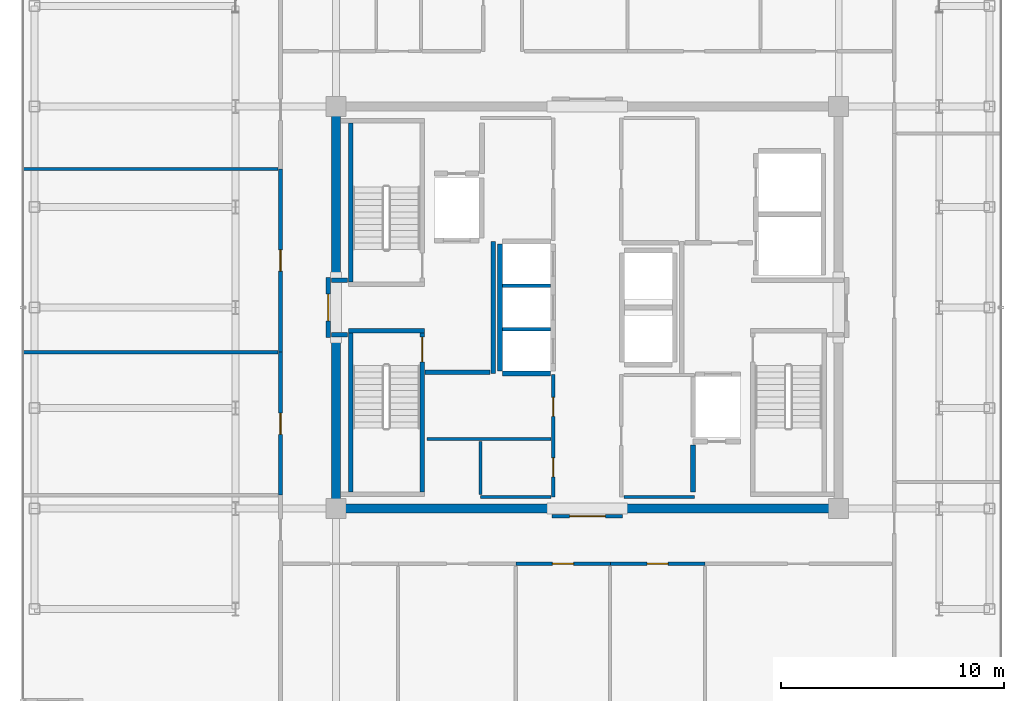
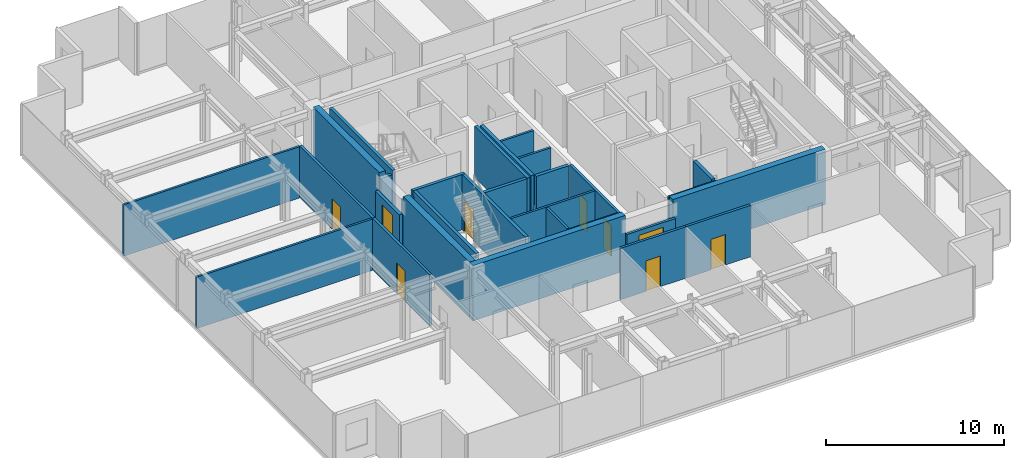
# One storey, part 13 of 18: 30 walls, 9 doors, 9 openings.
"""IFC4 building model written with IfcOpenShell, lengths in metres."""

from ifc_helpers import new_model, si_unit, direction, frame, frame_2d, origin, place, context, subcontext, project, spatial, rectangle, extrude, source, transform, mapped, material, layer, layer_set, type_object, element, fill, save


model = new_model("IFC4")

# Units and contexts
model_context = context("Model", 3, precision=1e-05, world=origin(), true_north=direction((0.0, 1.0)))
body_context = subcontext(model_context, "Body", "Model", "MODEL_VIEW")
ifc_project = project(units=[si_unit("LENGTHUNIT", "METRE"), si_unit("AREAUNIT", "SQUARE_METRE"), si_unit("VOLUMEUNIT", "CUBIC_METRE"), si_unit("PLANEANGLEUNIT", "RADIAN"), si_unit("MASSUNIT", "GRAM", prefix="KILO")], contexts=[model_context])

# Site, building, storey
site_placement = place(None, origin())
site = spatial("IfcSite", under=ifc_project, at=site_placement, CompositionType="ELEMENT")
building_placement = place(site_placement, origin())
building = spatial("IfcBuilding", under=site, at=building_placement, Name="Nefas-Gora Pilgrimage Tower", CompositionType="ELEMENT")
storey_placement = place(building_placement, frame((0.0, 0.0, 326.199951171875)))
storey = spatial("IfcBuildingStorey", under=building, at=storey_placement, Name="L82", CompositionType="ELEMENT", Elevation=326.199951171875)

# Walls
ifc_material_1 = material(Name="Concrete C50/60", Category="concrete")
ifc_layer_1 = layer(ifc_material_1, 0.39990234375)
ifc_layer_set_1 = layer_set([ifc_layer_1], Name="Concrete C50/60")
wall_type_1 = type_object("IfcWallType", Name="SW-CORE-400", PredefinedType="SHEAR", material=ifc_layer_set_1)
shared_shape_1 = source(origin(), body_context, "Body", "SweptSolid", [
    extrude(rectangle(XDim=9.89990234375, YDim=0.39990234375, at=frame_2d((4.949951171875, 0.0))), origin(), (0.0, 0.0, 1.0), 3.800048828125),
])
for number, where, z_axis, x_axis, name in (
    (1, (-11.449951171875, -9.0, 0.0), (0.0, 0.0, 1.0), (1.0, 0.0, 0.0), "L82 Core Shear Wall S-West"),
    (2, (1.550048828125, -9.0, 0.0), (0.0, 0.0, 1.0), (1.0, 0.0, 0.0), "L82 Core Shear Wall S-East"),
):
    element("IfcWall", number, at=place(storey_placement, frame(where, z_axis=z_axis, x_axis=x_axis)), inside=storey, type_object=wall_type_1, Name=name, PredefinedType="SHEAR", context=body_context, shape_type="MappedRepresentation", body=[
        mapped(shared_shape_1, transform((0.0, 0.0, 0.0), x_axis=(1.0, 0.0, 0.0), y_axis=(0.0, 1.0, 0.0), z_axis=(0.0, 0.0, 1.0), scale=1.0)),
    ])
shared_shape_2 = source(origin(), body_context, "Body", "SweptSolid", [
    extrude(rectangle(XDim=7.449951171875, YDim=0.39990234375, at=frame_2d((3.72509765625, 0.0))), origin(), (0.0, 0.0, 1.0), 3.800048828125),
])
for number, where, z_axis, x_axis, name in (
    (3, (-11.25, -8.800048828125, 0.0), (0.0, 0.0, 1.0), (0.0, 1.0, 0.0), "L82 Core Shear Wall W-South"),
    (4, (-11.25, 1.35009765625, 0.0), (0.0, 0.0, 1.0), (0.0, 1.0, 0.0), "L82 Core Shear Wall W-North"),
):
    element("IfcWall", number, at=place(storey_placement, frame(where, z_axis=z_axis, x_axis=x_axis)), inside=storey, type_object=wall_type_1, Name=name, PredefinedType="SHEAR", context=body_context, shape_type="MappedRepresentation", body=[
        mapped(shared_shape_2, transform((0.0, 0.0, 0.0), x_axis=(1.0, 0.0, 0.0), y_axis=(0.0, 1.0, 0.0), z_axis=(0.0, 0.0, 1.0), scale=1.0)),
    ])
ifc_material_2 = material(Name="Concrete C45/55", Category="concrete")
ifc_layer_2 = layer(ifc_material_2, 0.199951171875)
ifc_layer_set_2 = layer_set([ifc_layer_2], Name="Concrete C45/55")
wall_type_2 = type_object("IfcWallType", Name="IW-STAIR-200", PredefinedType="SOLIDWALL", material=ifc_layer_set_2)
shared_shape_3 = source(origin(), body_context, "Body", "SweptSolid", [
    extrude(rectangle(XDim=3.39990234375, YDim=0.199951171875, at=frame_2d((1.699951171875, 0.0))), origin(), (0.0, 0.0, 1.0), 3.800048828125),
])
wall_1_placement = place(storey_placement, frame((-10.699951171875, -1.050048828125, 0.0), z_axis=(0.0, 0.0, 1.0), x_axis=(1.0, 0.0, 0.0)))
element("IfcWall", 5, at=wall_1_placement, inside=storey, type_object=wall_type_2, Name="L82 Stairwell Shear Wall ST-03-near", PredefinedType="SOLIDWALL", context=body_context, shape_type="MappedRepresentation", body=[
    mapped(shared_shape_3, transform((0.0, 0.0, 0.0), x_axis=(1.0, 0.0, 0.0), y_axis=(0.0, 1.0, 0.0), z_axis=(0.0, 0.0, 1.0), scale=1.0)),
])
shared_shape_4 = source(origin(), body_context, "Body", "SweptSolid", [
    extrude(rectangle(XDim=7.10009765625, YDim=0.199951171875, at=frame_2d((3.550048828125, 0.0))), origin(), (0.0, 0.0, 1.0), 3.800048828125),
])
for number, where, z_axis, x_axis, name in (
    (6, (-10.60009765625, 1.14990234375, 0.0), (0.0, 0.0, 1.0), (0.0, 1.0, 0.0), "L82 Stairwell Shear Wall ST-01-right"),
    (7, (-10.60009765625, -1.14990234375, 0.0), (0.0, 0.0, 1.0), (0.0, -1.0, 0.0), "L82 Stairwell Shear Wall ST-03-left"),
):
    element("IfcWall", number, at=place(storey_placement, frame(where, z_axis=z_axis, x_axis=x_axis)), inside=storey, type_object=wall_type_2, Name=name, PredefinedType="SOLIDWALL", context=body_context, shape_type="MappedRepresentation", body=[
        mapped(shared_shape_4, transform((0.0, 0.0, 0.0), x_axis=(1.0, 0.0, 0.0), y_axis=(0.0, 1.0, 0.0), z_axis=(0.0, 0.0, 1.0), scale=1.0)),
    ])

# Wall, opening, door
wall_2_placement = place(storey_placement, frame((-7.39990234375, -1.14990234375, 0.0), z_axis=(0.0, 0.0, 1.0), x_axis=(0.0, -1.0, 0.0)))
wall_2 = element("IfcWall", 8, at=wall_2_placement, inside=storey, type_object=wall_type_2, Name="L82 Stairwell Shear Wall ST-03-right", PredefinedType="SOLIDWALL", context=body_context, shape_type="MappedRepresentation", body=[
    mapped(shared_shape_4, transform((0.0, 0.0, 0.0), x_axis=(1.0, 0.0, 0.0), y_axis=(0.0, 1.0, 0.0), z_axis=(0.0, 0.0, 1.0), scale=1.0)),
])
opening_1_placement = place(wall_2_placement, frame((0.179931640625, 0.0, 0.0)))
opening_1 = element("IfcOpeningElement", 9, at=opening_1_placement, cuts=wall_2, Name="Opening ID-ST1", PredefinedType="OPENING", context=body_context, shape_type="SweptSolid", body=[
    extrude(rectangle(XDim=1.10009765625, YDim=2.14990234375, at=frame_2d((0.550048828125, 1.074951171875))), frame((0.0, 0.10986328125, 0.0), z_axis=(0.0, -1.0, 0.0), x_axis=(1.0, 0.0, 0.0)), (0.0, 0.0, 1.0), 0.219970703125),
])
ifc_material_3 = material(Name="Painted galvanised steel fire stair door", Category="steel")
door_type_1 = type_object("IfcDoorType", Name="DR-INT-STAIR-1100", OperationType="NOTDEFINED", PredefinedType="DOOR", material=ifc_material_3)
shared_shape_5 = source(origin(), body_context, "Body", "SweptSolid", [
    extrude(rectangle(XDim=1.10009765625, YDim=2.14990234375, at=frame_2d((0.550048828125, 1.074951171875))), frame((0.0, 0.02490234375, 0.0), z_axis=(0.0, -1.0, 0.0), x_axis=(1.0, 0.0, 0.0)), (0.0, 0.0, 1.0), 0.050048828125),
])
door_1_placement = place(opening_1_placement, origin())
door_1 = element("IfcDoor", 10, at=door_1_placement, inside=storey, type_object=door_type_1, Name="L82 Protected Exit Stair Door ST-03", OperationType="SINGLE_SWING_RIGHT", OverallHeight=2.14990234375, OverallWidth=1.10009765625, PredefinedType="DOOR", context=body_context, shape_type="MappedRepresentation", body=[
    mapped(shared_shape_5, transform((0.0, 0.0, 0.0), x_axis=(1.0, 0.0, 0.0), y_axis=(0.0, 1.0, 0.0), z_axis=(0.0, 0.0, 1.0), scale=1.0)),
])
fill(opening_1, door_1)

# Walls
ifc_material_4 = material(Name="Concrete C40/50", Category="concrete")
ifc_layer_3 = layer(ifc_material_4, 0.219970703125)
ifc_layer_set_3 = layer_set([ifc_layer_3], Name="Concrete C40/50")
wall_type_3 = type_object("IfcWallType", Name="IW-SHAFT-220", PredefinedType="SOLIDWALL", material=ifc_layer_set_3)
shared_shape_6 = source(origin(), body_context, "Body", "SweptSolid", [
    extrude(rectangle(XDim=5.7001953125, YDim=0.219970703125, at=frame_2d((2.85009765625, 0.0))), origin(), (0.0, 0.0, 1.0), 3.53515625),
])
wall_3_placement = place(storey_placement, frame((-3.909912109375, 2.85009765625, 0.0), z_axis=(0.0, 0.0, 1.0), x_axis=(0.0, -1.0, 0.0)))
element("IfcWall", 11, at=wall_3_placement, inside=storey, type_object=wall_type_3, Name="L82 Hoistway Wall PL3-01-03-W", PredefinedType="SOLIDWALL", context=body_context, shape_type="MappedRepresentation", body=[
    mapped(shared_shape_6, transform((0.0, 0.0, 0.0), x_axis=(1.0, 0.0, 0.0), y_axis=(0.0, 1.0, 0.0), z_axis=(0.0, 0.0, 1.0), scale=1.0)),
])
shared_shape_7 = source(origin(), body_context, "Body", "SweptSolid", [
    extrude(rectangle(XDim=2.130126953125, YDim=0.219970703125, at=frame_2d((1.06494140625, 0.0))), origin(), (0.0, 0.0, 1.0), 3.53515625),
])
wall_4_placement = place(storey_placement, frame((-3.7900390625, -2.9599609375, 0.0), z_axis=(0.0, 0.0, 1.0), x_axis=(1.0, 0.0, 0.0)))
element("IfcWall", 12, at=wall_4_placement, inside=storey, type_object=wall_type_3, Name="L82 Hoistway Wall PL3-01-S", PredefinedType="SOLIDWALL", context=body_context, shape_type="MappedRepresentation", body=[
    mapped(shared_shape_7, transform((0.0, 0.0, 0.0), x_axis=(1.0, 0.0, 0.0), y_axis=(0.0, 1.0, 0.0), z_axis=(0.0, 0.0, 1.0), scale=1.0)),
])
ifc_material_5 = material(Name="Gypsum twin-stud partition")
ifc_layer_4 = layer(ifc_material_5, 0.139892578125)
ifc_layer_set_4 = layer_set([ifc_layer_4], Name="Gypsum twin-stud partition")
wall_type_4 = type_object("IfcWallType", Name="IW-UNIT-140", PredefinedType="PARTITIONING", material=ifc_layer_set_4)
shared_shape_8 = source(origin(), body_context, "Body", "SweptSolid", [
    extrude(rectangle(XDim=2.130126953125, YDim=0.139892578125, at=frame_2d((1.06494140625, 0.0))), origin(), (0.0, 0.0, 1.0), 3.53515625),
])
for number, where, z_axis, x_axis, name in (
    (13, (-3.7900390625, -0.97509765625, 0.0), (0.0, 0.0, 1.0), (1.0, 0.0, 0.0), "L82 Hoistway Wall PL3-01-02-DIV"),
    (14, (-3.7900390625, 0.97509765625, 0.0), (0.0, 0.0, 1.0), (1.0, 0.0, 0.0), "L82 Hoistway Wall PL3-02-03-DIV"),
):
    element("IfcWall", number, at=place(storey_placement, frame(where, z_axis=z_axis, x_axis=x_axis)), inside=storey, type_object=wall_type_4, Name=name, PredefinedType="PARTITIONING", context=body_context, shape_type="MappedRepresentation", body=[
        mapped(shared_shape_8, transform((0.0, 0.0, 0.0), x_axis=(1.0, 0.0, 0.0), y_axis=(0.0, 1.0, 0.0), z_axis=(0.0, 0.0, 1.0), scale=1.0)),
    ])
ifc_material_6 = material(Name="Gypsum fire-rated shaftwall")
ifc_layer_5 = layer(ifc_material_6, 0.199951171875)
ifc_layer_set_5 = layer_set([ifc_layer_5], Name="Gypsum fire-rated shaftwall")
wall_type_5 = type_object("IfcWallType", Name="IW-FFLOB-200", PredefinedType="PARTITIONING", material=ifc_layer_set_5)
shared_shape_9 = source(origin(), body_context, "Body", "SweptSolid", [
    extrude(rectangle(XDim=5.89990234375, YDim=0.199951171875, at=frame_2d((2.949951171875, 0.0))), origin(), (0.0, 0.0, 1.0), 3.53515625),
])
wall_5_placement = place(storey_placement, frame((-4.219970703125, -2.949951171875, 0.0), z_axis=(0.0, 0.0, 1.0), x_axis=(0.0, 1.0, 0.0)))
element("IfcWall", 15, at=wall_5_placement, inside=storey, type_object=wall_type_5, Name="L82 FF Lobby West Inner Wall Wall 6", PredefinedType="PARTITIONING", context=body_context, shape_type="MappedRepresentation", body=[
    mapped(shared_shape_9, transform((0.0, 0.0, 0.0), x_axis=(1.0, 0.0, 0.0), y_axis=(0.0, 1.0, 0.0), z_axis=(0.0, 0.0, 1.0), scale=1.0)),
])
shared_shape_10 = source(origin(), body_context, "Body", "SweptSolid", [
    extrude(rectangle(XDim=2.89990234375, YDim=0.199951171875, at=frame_2d((1.449951171875, 0.0))), origin(), (0.0, 0.0, 1.0), 3.53515625),
])
wall_6_placement = place(storey_placement, frame((-7.260009765625, -2.89990234375, 0.0), z_axis=(0.0, 0.0, 1.0), x_axis=(1.0, 0.0, 0.0)))
element("IfcWall", 16, at=wall_6_placement, inside=storey, type_object=wall_type_5, Name="L82 FF Lobby West South Wall Wall 7", PredefinedType="PARTITIONING", context=body_context, shape_type="MappedRepresentation", body=[
    mapped(shared_shape_10, transform((0.0, 0.0, 0.0), x_axis=(1.0, 0.0, 0.0), y_axis=(0.0, 1.0, 0.0), z_axis=(0.0, 0.0, 1.0), scale=1.0)),
])
shared_shape_11 = source(origin(), body_context, "Body", "SweptSolid", [
    extrude(rectangle(XDim=0.719970703125, YDim=0.199951171875, at=frame_2d((0.35986328125, 0.0))), origin(), (0.0, 0.0, 1.0), 3.53515625),
])
for number, where, z_axis, x_axis, name in (
    (17, (-11.4599609375, 1.219970703125, 0.0), (0.0, 0.0, 1.0), (1.0, 0.0, 0.0), "L82 FF Lobby West Throat N Wall 8"),
    (18, (-11.4599609375, -1.219970703125, 0.0), (0.0, 0.0, 1.0), (1.0, 0.0, 0.0), "L82 FF Lobby West Throat S Wall 9"),
):
    element("IfcWall", number, at=place(storey_placement, frame(where, z_axis=z_axis, x_axis=x_axis)), inside=storey, type_object=wall_type_5, Name=name, PredefinedType="PARTITIONING", context=body_context, shape_type="MappedRepresentation", body=[
        mapped(shared_shape_11, transform((0.0, 0.0, 0.0), x_axis=(1.0, 0.0, 0.0), y_axis=(0.0, 1.0, 0.0), z_axis=(0.0, 0.0, 1.0), scale=1.0)),
    ])
shared_shape_12 = source(origin(), body_context, "Body", "SweptSolid", [
    extrude(rectangle(XDim=3.150146484375, YDim=0.139892578125, at=frame_2d((1.5751953125, 0.0))), origin(), (0.0, 0.0, 1.0), 3.53515625),
])
for number, where, z_axis, x_axis, name in (
    (19, (-4.7900390625, -8.47998046875, 0.0), (0.0, 0.0, 1.0), (1.0, 0.0, 0.0), "L82 Freed Bank-2 West Supply Vault Partition Wall 25"),
    (20, (1.639892578125, -8.47998046875, 0.0), (0.0, 0.0, 1.0), (1.0, 0.0, 0.0), "L82 Freed Bank-2 East Linen Store Partition Wall 29"),
):
    element("IfcWall", number, at=place(storey_placement, frame(where, z_axis=z_axis, x_axis=x_axis)), inside=storey, type_object=wall_type_4, Name=name, PredefinedType="PARTITIONING", context=body_context, shape_type="MappedRepresentation", body=[
        mapped(shared_shape_12, transform((0.0, 0.0, 0.0), x_axis=(1.0, 0.0, 0.0), y_axis=(0.0, 1.0, 0.0), z_axis=(0.0, 0.0, 1.0), scale=1.0)),
    ])
shared_shape_13 = source(origin(), body_context, "Body", "SweptSolid", [
    extrude(rectangle(XDim=11.429931640625, YDim=0.139892578125, at=frame_2d((5.71484375, 0.0))), origin(), (0.0, 0.0, 1.0), 3.53515625),
])
for number, where, z_axis, x_axis, name in (
    (21, (-25.2900390625, -2.0048828125, 0.0), (0.0, 0.0, 1.0), (1.0, 0.0, 0.0), "L82 Pilgrim Tea and Beverage Pantry Partition Wall 36"),
    (22, (-25.2900390625, 6.195068359375, 0.0), (0.0, 0.0, 1.0), (1.0, 0.0, 0.0), "L82 Pilgrim Tea and Beverage Pantry Partition Wall 38"),
):
    element("IfcWall", number, at=place(storey_placement, frame(where, z_axis=z_axis, x_axis=x_axis)), inside=storey, type_object=wall_type_4, Name=name, PredefinedType="PARTITIONING", context=body_context, shape_type="MappedRepresentation", body=[
        mapped(shared_shape_13, transform((0.0, 0.0, 0.0), x_axis=(1.0, 0.0, 0.0), y_axis=(0.0, 1.0, 0.0), z_axis=(0.0, 0.0, 1.0), scale=1.0)),
    ])

# Wall, openings, doors
ifc_material_7 = material(Name="Gypsum acoustic stud partition")
ifc_layer_6 = layer(ifc_material_7, 0.159912109375)
ifc_layer_set_6 = layer_set([ifc_layer_6], Name="Gypsum acoustic stud partition")
wall_type_6 = type_object("IfcWallType", Name="IW-CORR-160", PredefinedType="PARTITIONING", material=ifc_layer_set_6)
shared_shape_14 = source(origin(), body_context, "Body", "SweptSolid", [
    extrude(rectangle(XDim=5.47998046875, YDim=0.159912109375, at=frame_2d((2.739990234375, 0.0))), origin(), (0.0, 0.0, 1.0), 3.53515625),
])
wall_7_placement = place(storey_placement, frame((-1.52001953125, -8.489990234375, 0.0), z_axis=(0.0, 0.0, 1.0), x_axis=(0.0, 1.0, 0.0)))
wall_7 = element("IfcWall", 23, at=wall_7_placement, inside=storey, type_object=wall_type_6, Name="L82 Pilgrim Baggage and Gear Vault Wall 21", PredefinedType="PARTITIONING", context=body_context, shape_type="MappedRepresentation", body=[
    mapped(shared_shape_14, transform((0.0, 0.0, 0.0), x_axis=(1.0, 0.0, 0.0), y_axis=(0.0, 1.0, 0.0), z_axis=(0.0, 0.0, 1.0), scale=1.0)),
])
opening_2_placement = place(wall_7_placement, frame((0.907470703125, 0.0, 0.0)))
opening_2 = element("IfcOpeningElement", 24, at=opening_2_placement, cuts=wall_7, Name="Opening ID-BT1", PredefinedType="OPENING", context=body_context, shape_type="SweptSolid", body=[
    extrude(rectangle(XDim=0.85009765625, YDim=2.10009765625, at=frame_2d((0.425048828125, 1.050048828125))), frame((0.0, 0.08984375, 0.0), z_axis=(0.0, -1.0, 0.0), x_axis=(1.0, 0.0, 0.0)), (0.0, 0.0, 1.0), 0.179931640625),
])
opening_3_placement = place(wall_7_placement, frame((3.614990234375, 0.0, 0.0)))
opening_3 = element("IfcOpeningElement", 25, at=opening_3_placement, cuts=wall_7, Name="Opening ID-BT1", PredefinedType="OPENING", context=body_context, shape_type="SweptSolid", body=[
    extrude(rectangle(XDim=0.85009765625, YDim=2.10009765625, at=frame_2d((0.425048828125, 1.050048828125))), frame((0.0, 0.08984375, 0.0), z_axis=(0.0, -1.0, 0.0), x_axis=(1.0, 0.0, 0.0)), (0.0, 0.0, 1.0), 0.179931640625),
])
ifc_material_8 = material(Name="Moisture-resistant fire-rated timber door", Category="wood")
door_type_2 = type_object("IfcDoorType", Name="DR-INT-BATH-850", OperationType="NOTDEFINED", PredefinedType="DOOR", material=ifc_material_8)
shared_shape_15 = source(origin(), body_context, "Body", "SweptSolid", [
    extrude(rectangle(XDim=0.85009765625, YDim=2.10009765625, at=frame_2d((0.425048828125, 1.050048828125))), frame((0.0, 0.02490234375, 0.0), z_axis=(0.0, -1.0, 0.0), x_axis=(1.0, 0.0, 0.0)), (0.0, 0.0, 1.0), 0.050048828125),
])
door_2_placement = place(opening_2_placement, origin())
door_2 = element("IfcDoor", 26, at=door_2_placement, inside=storey, type_object=door_type_2, Name="L82 Freed Bank-2 West Supply Vault Door 9", OperationType="SINGLE_SWING_LEFT", OverallHeight=2.10009765625, OverallWidth=0.85009765625, PredefinedType="DOOR", context=body_context, shape_type="MappedRepresentation", body=[
    mapped(shared_shape_15, transform((0.0, 0.0, 0.0), x_axis=(1.0, 0.0, 0.0), y_axis=(0.0, 1.0, 0.0), z_axis=(0.0, 0.0, 1.0), scale=1.0)),
])
fill(opening_2, door_2)
door_3_placement = place(opening_3_placement, origin())
door_3 = element("IfcDoor", 27, at=door_3_placement, inside=storey, type_object=door_type_2, Name="L82 Pilgrim Baggage and Gear Vault Door 10", OperationType="SINGLE_SWING_RIGHT", OverallHeight=2.10009765625, OverallWidth=0.85009765625, PredefinedType="DOOR", context=body_context, shape_type="MappedRepresentation", body=[
    mapped(shared_shape_15, transform((0.0, 0.0, 0.0), x_axis=(1.0, 0.0, 0.0), y_axis=(0.0, 1.0, 0.0), z_axis=(0.0, 0.0, 1.0), scale=1.0)),
])
fill(opening_3, door_3)

# Wall, opening, door
shared_shape_16 = source(origin(), body_context, "Body", "SweptSolid", [
    extrude(rectangle(XDim=2.7001953125, YDim=0.199951171875, at=frame_2d((1.35009765625, 0.0))), origin(), (0.0, 0.0, 1.0), 2.625),
])
wall_8_placement = place(storey_placement, frame((-11.60009765625, -1.35009765625, 0.0), z_axis=(0.0, 0.0, 1.0), x_axis=(0.0, 1.0, 0.0)))
wall_8 = element("IfcWall", 28, at=wall_8_placement, inside=storey, type_object=wall_type_5, Name="L82 FF Lobby West Portal Wall 5", PredefinedType="PARTITIONING", context=body_context, shape_type="MappedRepresentation", body=[
    mapped(shared_shape_16, transform((0.0, 0.0, 0.0), x_axis=(1.0, 0.0, 0.0), y_axis=(0.0, 1.0, 0.0), z_axis=(0.0, 0.0, 1.0), scale=1.0)),
])
opening_4_placement = place(wall_8_placement, frame((0.75, 0.0, 0.0)))
opening_4 = element("IfcOpeningElement", 29, at=opening_4_placement, cuts=wall_8, Name="Opening ID-FF1", PredefinedType="OPENING", context=body_context, shape_type="SweptSolid", body=[
    extrude(rectangle(XDim=1.199951171875, YDim=2.14990234375, at=frame_2d((0.60009765625, 1.074951171875))), frame((0.0, 0.10986328125, 0.0), z_axis=(0.0, -1.0, 0.0), x_axis=(1.0, 0.0, 0.0)), (0.0, 0.0, 1.0), 0.219970703125),
])
ifc_material_9 = material(Name="Smoke-sealed steel firefighting lobby door", Category="steel")
door_type_3 = type_object("IfcDoorType", Name="DR-INT-FFLOB-1200", OperationType="NOTDEFINED", PredefinedType="DOOR", material=ifc_material_9)
shared_shape_17 = source(origin(), body_context, "Body", "SweptSolid", [
    extrude(rectangle(XDim=1.199951171875, YDim=2.14990234375, at=frame_2d((0.60009765625, 1.074951171875))), frame((0.0, 0.02490234375, 0.0), z_axis=(0.0, -1.0, 0.0), x_axis=(1.0, 0.0, 0.0)), (0.0, 0.0, 1.0), 0.050048828125),
])
door_4_placement = place(opening_4_placement, origin())
door_4 = element("IfcDoor", 30, at=door_4_placement, inside=storey, type_object=door_type_3, Name="L82 FF Lobby West Portal Door 3", OperationType="SINGLE_SWING_LEFT", OverallHeight=2.14990234375, OverallWidth=1.199951171875, PredefinedType="DOOR", context=body_context, shape_type="MappedRepresentation", body=[
    mapped(shared_shape_17, transform((0.0, 0.0, 0.0), x_axis=(1.0, 0.0, 0.0), y_axis=(0.0, 1.0, 0.0), z_axis=(0.0, 0.0, 1.0), scale=1.0)),
])
fill(opening_4, door_4)

shared_shape_18 = source(origin(), body_context, "Body", "SweptSolid", [
    extrude(rectangle(XDim=3.16015625, YDim=0.159912109375, at=frame_2d((1.580078125, 0.0))), origin(), (0.0, 0.0, 1.0), 2.625),
])
wall_9_placement = place(storey_placement, frame((-1.580078125, -9.35009765625, 0.0), z_axis=(0.0, 0.0, 1.0), x_axis=(1.0, 0.0, 0.0)))
wall_9 = element("IfcWall", 31, at=wall_9_placement, inside=storey, type_object=wall_type_6, Name="L82 Central Lift Lobby South Portal Wall 17", PredefinedType="PARTITIONING", context=body_context, shape_type="MappedRepresentation", body=[
    mapped(shared_shape_18, transform((0.0, 0.0, 0.0), x_axis=(1.0, 0.0, 0.0), y_axis=(0.0, 1.0, 0.0), z_axis=(0.0, 0.0, 1.0), scale=1.0)),
])
opening_5_placement = place(wall_9_placement, frame((0.780029296875, 0.0, 0.0)))
opening_5 = element("IfcOpeningElement", 32, at=opening_5_placement, cuts=wall_9, Name="Opening ID-HL1", PredefinedType="OPENING", context=body_context, shape_type="SweptSolid", body=[
    extrude(rectangle(XDim=1.60009765625, YDim=2.300048828125, at=frame_2d((0.800048828125, 1.14990234375))), frame((0.0, 0.08984375, 0.0), z_axis=(0.0, -1.0, 0.0), x_axis=(1.0, 0.0, 0.0)), (0.0, 0.0, 1.0), 0.179931640625),
])
ifc_material_10 = material(Name="Double acoustic timber assembly hall door", Category="wood")
door_type_4 = type_object("IfcDoorType", Name="DR-INT-HALL-1600", OperationType="DOUBLE_DOOR_SINGLE_SWING", PredefinedType="DOOR", material=ifc_material_10)
shared_shape_19 = source(origin(), body_context, "Body", "SweptSolid", [
    extrude(rectangle(XDim=1.60009765625, YDim=2.300048828125, at=frame_2d((0.800048828125, 1.14990234375))), frame((0.0, 0.02490234375, 0.0), z_axis=(0.0, -1.0, 0.0), x_axis=(1.0, 0.0, 0.0)), (0.0, 0.0, 1.0), 0.050048828125),
])
door_5_placement = place(opening_5_placement, origin())
door_5 = element("IfcDoor", 33, at=door_5_placement, inside=storey, type_object=door_type_4, Name="L82 Central Lift Lobby South Portal Door 7", OperationType="DOUBLE_DOOR_SINGLE_SWING", OverallHeight=2.300048828125, OverallWidth=1.60009765625, PredefinedType="DOOR", context=body_context, shape_type="MappedRepresentation", body=[
    mapped(shared_shape_19, transform((0.0, 0.0, 0.0), x_axis=(1.0, 0.0, 0.0), y_axis=(0.0, 1.0, 0.0), z_axis=(0.0, 0.0, 1.0), scale=1.0)),
])
fill(opening_5, door_5)

# Walls
shared_shape_20 = source(origin(), body_context, "Body", "SweptSolid", [
    extrude(rectangle(XDim=2.10009765625, YDim=0.219970703125, at=frame_2d((1.050048828125, 0.0))), origin(), (0.0, 0.0, 1.0), 3.53515625),
])
wall_10_placement = place(storey_placement, frame((4.719970703125, -8.25, 0.0), z_axis=(0.0, 0.0, 1.0), x_axis=(0.0, 1.0, 0.0)))
element("IfcWall", 34, at=wall_10_placement, inside=storey, type_object=wall_type_3, Name="L82 Riser Shaft Wall 4", PredefinedType="SOLIDWALL", context=body_context, shape_type="MappedRepresentation", body=[
    mapped(shared_shape_20, transform((0.0, 0.0, 0.0), x_axis=(1.0, 0.0, 0.0), y_axis=(0.0, 1.0, 0.0), z_axis=(0.0, 0.0, 1.0), scale=1.0)),
])
shared_shape_21 = source(origin(), body_context, "Body", "SweptSolid", [
    extrude(rectangle(XDim=5.550048828125, YDim=0.139892578125, at=frame_2d((2.77490234375, 0.0))), origin(), (0.0, 0.0, 1.0), 3.53515625),
])
wall_11_placement = place(storey_placement, frame((-7.18994140625, -5.8798828125, 0.0), z_axis=(0.0, 0.0, 1.0), x_axis=(1.0, 0.0, 0.0)))
element("IfcWall", 35, at=wall_11_placement, inside=storey, type_object=wall_type_4, Name="L82 Pilgrim Baggage and Gear Vault Partition Wall 22", PredefinedType="PARTITIONING", context=body_context, shape_type="MappedRepresentation", body=[
    mapped(shared_shape_21, transform((0.0, 0.0, 0.0), x_axis=(1.0, 0.0, 0.0), y_axis=(0.0, 1.0, 0.0), z_axis=(0.0, 0.0, 1.0), scale=1.0)),
])
shared_shape_22 = source(origin(), body_context, "Body", "SweptSolid", [
    extrude(rectangle(XDim=2.380126953125, YDim=0.139892578125, at=frame_2d((1.18994140625, 0.0))), origin(), (0.0, 0.0, 1.0), 3.53515625),
])
wall_12_placement = place(storey_placement, frame((-4.780029296875, -8.3701171875, 0.0), z_axis=(0.0, 0.0, 1.0), x_axis=(0.0, 1.0, 0.0)))
element("IfcWall", 36, at=wall_12_placement, inside=storey, type_object=wall_type_4, Name="L82 Freed Bank-2 West Supply Vault Partition Wall 26", PredefinedType="PARTITIONING", context=body_context, shape_type="MappedRepresentation", body=[
    mapped(shared_shape_22, transform((0.0, 0.0, 0.0), x_axis=(1.0, 0.0, 0.0), y_axis=(0.0, 1.0, 0.0), z_axis=(0.0, 0.0, 1.0), scale=1.0)),
])

# Wall, opening, door
shared_shape_23 = source(origin(), body_context, "Body", "SweptSolid", [
    extrude(rectangle(XDim=6.409912109375, YDim=0.159912109375, at=frame_2d((3.205078125, 0.0))), origin(), (0.0, 0.0, 1.0), 3.53515625),
])
wall_13_placement = place(storey_placement, frame((-13.739990234375, -8.405029296875, 0.0), z_axis=(0.0, 0.0, 1.0), x_axis=(0.0, 1.0, 0.0)))
wall_13 = element("IfcWall", 37, at=wall_13_placement, inside=storey, type_object=wall_type_6, Name="L82 Pilgrim Tea and Beverage Pantry Partition Wall 35", PredefinedType="PARTITIONING", context=body_context, shape_type="MappedRepresentation", body=[
    mapped(shared_shape_23, transform((0.0, 0.0, 0.0), x_axis=(1.0, 0.0, 0.0), y_axis=(0.0, 1.0, 0.0), z_axis=(0.0, 0.0, 1.0), scale=1.0)),
])
opening_6_placement = place(wall_13_placement, frame((2.72998046875, 0.0, 0.0)))
opening_6 = element("IfcOpeningElement", 38, at=opening_6_placement, cuts=wall_13, Name="Opening ID-GR1", PredefinedType="OPENING", context=body_context, shape_type="SweptSolid", body=[
    extrude(rectangle(XDim=0.949951171875, YDim=2.10009765625, at=frame_2d((0.47509765625, 1.050048828125))), frame((0.0, 0.08984375, 0.0), z_axis=(0.0, -1.0, 0.0), x_axis=(1.0, 0.0, 0.0)), (0.0, 0.0, 1.0), 0.179931640625),
])
ifc_material_11 = material(Name="Solid core oak fire-rated guest entrance door")
door_type_5 = type_object("IfcDoorType", Name="DR-INT-GUEST-950", OperationType="NOTDEFINED", PredefinedType="DOOR", material=ifc_material_11)
shared_shape_24 = source(origin(), body_context, "Body", "SweptSolid", [
    extrude(rectangle(XDim=0.949951171875, YDim=2.10009765625, at=frame_2d((0.47509765625, 1.050048828125))), frame((0.0, 0.02490234375, 0.0), z_axis=(0.0, -1.0, 0.0), x_axis=(1.0, 0.0, 0.0)), (0.0, 0.0, 1.0), 0.050048828125),
])
door_6_placement = place(opening_6_placement, origin())
door_6 = element("IfcDoor", 39, at=door_6_placement, inside=storey, type_object=door_type_5, Name="L82 Pilgrim Tea and Beverage Pantry Door 15", OperationType="SINGLE_SWING_LEFT", OverallHeight=2.10009765625, OverallWidth=0.949951171875, PredefinedType="DOOR", context=body_context, shape_type="MappedRepresentation", body=[
    mapped(shared_shape_24, transform((0.0, 0.0, 0.0), x_axis=(1.0, 0.0, 0.0), y_axis=(0.0, 1.0, 0.0), z_axis=(0.0, 0.0, 1.0), scale=1.0)),
])
fill(opening_6, door_6)

shared_shape_25 = source(origin(), body_context, "Body", "SweptSolid", [
    extrude(rectangle(XDim=8.2099609375, YDim=0.159912109375, at=frame_2d((4.10498046875, 0.0))), origin(), (0.0, 0.0, 1.0), 3.53515625),
])
wall_14_placement = place(storey_placement, frame((-13.739990234375, -2.0048828125, 0.0), z_axis=(0.0, 0.0, 1.0), x_axis=(0.0, 1.0, 0.0)))
wall_14 = element("IfcWall", 40, at=wall_14_placement, inside=storey, type_object=wall_type_6, Name="L82 Pilgrim Tea and Beverage Pantry Partition Wall 37", PredefinedType="PARTITIONING", context=body_context, shape_type="MappedRepresentation", body=[
    mapped(shared_shape_25, transform((0.0, 0.0, 0.0), x_axis=(1.0, 0.0, 0.0), y_axis=(0.0, 1.0, 0.0), z_axis=(0.0, 0.0, 1.0), scale=1.0)),
])
opening_7_placement = place(wall_14_placement, frame((3.6298828125, 0.0, 0.0)))
opening_7 = element("IfcOpeningElement", 41, at=opening_7_placement, cuts=wall_14, Name="Opening ID-GR1", PredefinedType="OPENING", context=body_context, shape_type="SweptSolid", body=[
    extrude(rectangle(XDim=0.949951171875, YDim=2.10009765625, at=frame_2d((0.47509765625, 1.050048828125))), frame((0.0, 0.08984375, 0.0), z_axis=(0.0, -1.0, 0.0), x_axis=(1.0, 0.0, 0.0)), (0.0, 0.0, 1.0), 0.179931640625),
])
door_7_placement = place(opening_7_placement, origin())
door_7 = element("IfcDoor", 42, at=door_7_placement, inside=storey, type_object=door_type_5, Name="L82 Pilgrim Tea and Beverage Pantry Door 16", OperationType="SINGLE_SWING_RIGHT", OverallHeight=2.10009765625, OverallWidth=0.949951171875, PredefinedType="DOOR", context=body_context, shape_type="MappedRepresentation", body=[
    mapped(shared_shape_24, transform((0.0, 0.0, 0.0), x_axis=(1.0, 0.0, 0.0), y_axis=(0.0, 1.0, 0.0), z_axis=(0.0, 0.0, 1.0), scale=1.0)),
])
fill(opening_7, door_7)

shared_shape_26 = source(origin(), body_context, "Body", "SweptSolid", [
    extrude(rectangle(XDim=4.232666015625, YDim=0.159912109375, at=frame_2d((2.1162109375, 0.0))), origin(), (0.0, 0.0, 1.0), 3.53515625),
])
wall_15_placement = place(storey_placement, frame((-3.205078125, -11.469970703125, 0.0), z_axis=(0.0, 0.0, 1.0), x_axis=(1.0, 0.0, 0.0)))
wall_15 = element("IfcWall", 43, at=wall_15_placement, inside=storey, type_object=wall_type_6, Name="L82 Pilgrim Contemplative Lounge Partition Wall 61", PredefinedType="PARTITIONING", context=body_context, shape_type="MappedRepresentation", body=[
    mapped(shared_shape_26, transform((0.0, 0.0, 0.0), x_axis=(1.0, 0.0, 0.0), y_axis=(0.0, 1.0, 0.0), z_axis=(0.0, 0.0, 1.0), scale=1.0)),
])
opening_8_placement = place(wall_15_placement, frame((1.641357421875, 0.0, 0.0)))
opening_8 = element("IfcOpeningElement", 44, at=opening_8_placement, cuts=wall_15, Name="Opening ID-GR1", PredefinedType="OPENING", context=body_context, shape_type="SweptSolid", body=[
    extrude(rectangle(XDim=0.949951171875, YDim=2.10009765625, at=frame_2d((0.47509765625, 1.050048828125))), frame((0.0, 0.08984375, 0.0), z_axis=(0.0, -1.0, 0.0), x_axis=(1.0, 0.0, 0.0)), (0.0, 0.0, 1.0), 0.179931640625),
])
door_8_placement = place(opening_8_placement, origin())
door_8 = element("IfcDoor", 45, at=door_8_placement, inside=storey, type_object=door_type_5, Name="L82 Pilgrim Contemplative Lounge Door 28", OperationType="SINGLE_SWING_RIGHT", OverallHeight=2.10009765625, OverallWidth=0.949951171875, PredefinedType="DOOR", context=body_context, shape_type="MappedRepresentation", body=[
    mapped(shared_shape_24, transform((0.0, 0.0, 0.0), x_axis=(1.0, 0.0, 0.0), y_axis=(0.0, 1.0, 0.0), z_axis=(0.0, 0.0, 1.0), scale=1.0)),
])
fill(opening_8, door_8)

shared_shape_27 = source(origin(), body_context, "Body", "SweptSolid", [
    extrude(rectangle(XDim=4.232421875, YDim=0.159912109375, at=frame_2d((2.1162109375, 0.0))), origin(), (0.0, 0.0, 1.0), 3.53515625),
])
wall_16_placement = place(storey_placement, frame((1.027587890625, -11.469970703125, 0.0), z_axis=(0.0, 0.0, 1.0), x_axis=(1.0, 0.0, 0.0)))
wall_16 = element("IfcWall", 46, at=wall_16_placement, inside=storey, type_object=wall_type_6, Name="L82 Pilgrim Contemplative Lounge Partition Wall 63", PredefinedType="PARTITIONING", context=body_context, shape_type="MappedRepresentation", body=[
    mapped(shared_shape_27, transform((0.0, 0.0, 0.0), x_axis=(1.0, 0.0, 0.0), y_axis=(0.0, 1.0, 0.0), z_axis=(0.0, 0.0, 1.0), scale=1.0)),
])
opening_9_placement = place(wall_16_placement, frame((1.641357421875, 0.0, 0.0)))
opening_9 = element("IfcOpeningElement", 47, at=opening_9_placement, cuts=wall_16, Name="Opening ID-GR1", PredefinedType="OPENING", context=body_context, shape_type="SweptSolid", body=[
    extrude(rectangle(XDim=0.949951171875, YDim=2.10009765625, at=frame_2d((0.47509765625, 1.050048828125))), frame((0.0, 0.08984375, 0.0), z_axis=(0.0, -1.0, 0.0), x_axis=(1.0, 0.0, 0.0)), (0.0, 0.0, 1.0), 0.179931640625),
])
door_9_placement = place(opening_9_placement, origin())
door_9 = element("IfcDoor", 48, at=door_9_placement, inside=storey, type_object=door_type_5, Name="L82 Pilgrim Contemplative Lounge Door 29", OperationType="SINGLE_SWING_LEFT", OverallHeight=2.10009765625, OverallWidth=0.949951171875, PredefinedType="DOOR", context=body_context, shape_type="MappedRepresentation", body=[
    mapped(shared_shape_24, transform((0.0, 0.0, 0.0), x_axis=(1.0, 0.0, 0.0), y_axis=(0.0, 1.0, 0.0), z_axis=(0.0, 0.0, 1.0), scale=1.0)),
])
fill(opening_9, door_9)

save(model, "model.ifc")
